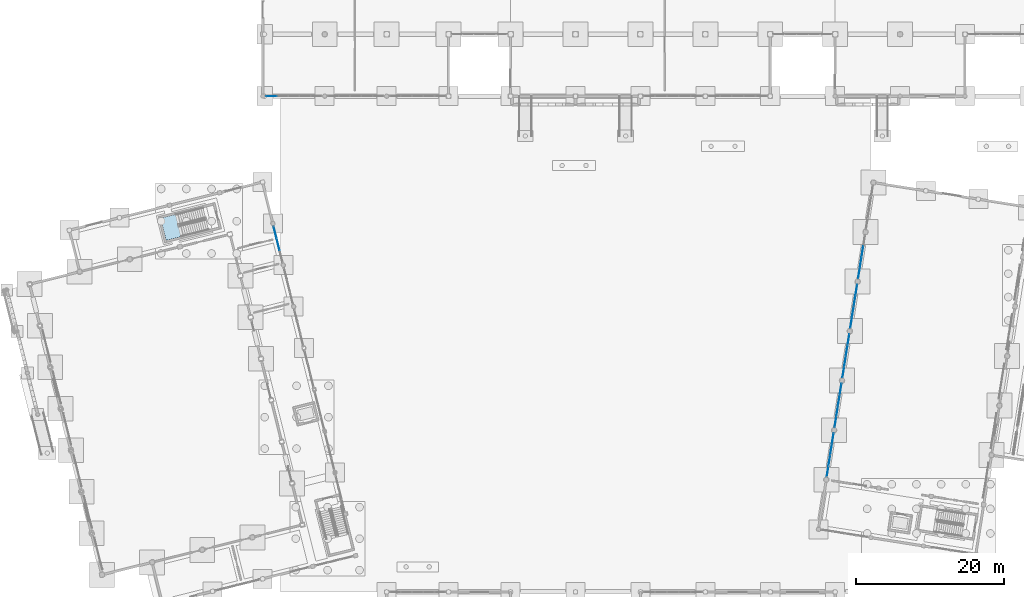
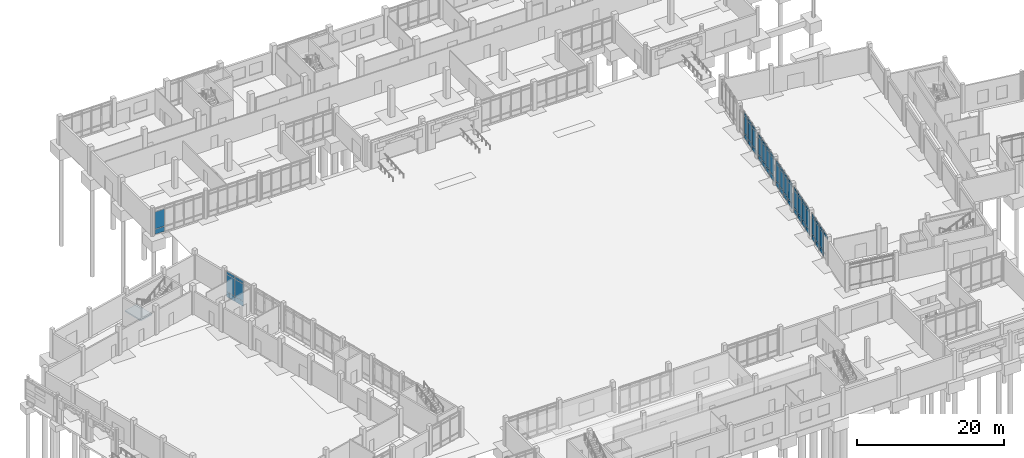
# One storey, part 35 of 72: 63 plates, 1 slab, 8 elements without a shape of their own.
"""IFC4 building model written with IfcOpenShell, lengths in metres."""

from ifc_helpers import new_model, si_unit, direction, frame, origin, origin_2d, place, context, subcontext, project, spatial, polyline, rectangle, outline, extrude, material, layer, layer_set, type_object, element, aggregate, save


model = new_model("IFC4")

# Units and contexts
model_context = context("Model", 3, precision=1e-05, world=origin(), true_north=direction((0.0, 1.0)))
body_context = subcontext(model_context, "Body", "Model", "MODEL_VIEW")
ifc_project = project(units=[si_unit("LENGTHUNIT", "METRE"), si_unit("AREAUNIT", "SQUARE_METRE"), si_unit("VOLUMEUNIT", "CUBIC_METRE"), si_unit("PLANEANGLEUNIT", "RADIAN"), si_unit("MASSUNIT", "GRAM", prefix="KILO")], contexts=[model_context])

# Site, building, storey
site_placement = place(None, origin())
site = spatial("IfcSite", under=ifc_project, at=site_placement, CompositionType="ELEMENT")
building_placement = place(site_placement, origin())
building = spatial("IfcBuilding", under=site, at=building_placement, Name="Cinderway Yard Community Centre", CompositionType="ELEMENT")
storey_placement = place(building_placement, origin())
storey = spatial("IfcBuildingStorey", under=building, at=storey_placement, Name="L00", CompositionType="ELEMENT", Elevation=0.0)

# Curtain wall, plates
ifc_material_1 = material(Name="Aluminium 6063-T6", Category="aluminium")
curtain_wall_type_1 = type_object("IfcCurtainWallType", Name="ENV-CW-TYPE-24", PredefinedType="USERDEFINED", material=ifc_material_1)
curtain_wall_1_placement = place(storey_placement, origin())
curtain_wall_1 = element("IfcCurtainWall", 1, at=curtain_wall_1_placement, inside=storey, type_object=curtain_wall_type_1, Name="V4 Courtyard Curtain Wall ENV-CW-L00-ST-0109", ObjectType="GLAZED CURTAIN WALL", PredefinedType="USERDEFINED")
ifc_material_2 = material(Name="Laminated Low-E Glass", Category="glass")
ifc_layer_1 = layer(ifc_material_2, 0.028076171875, Name="Laminated Low-E Glass")
ifc_layer_set_1 = layer_set([ifc_layer_1], Name="Laminated Low-E Glass")
plate_type_1 = type_object("IfcPlateType", Name="ENV-CW-PAN-IGU28", PredefinedType="CURTAIN_PANEL", material=ifc_layer_set_1)
plate_1_placement = place(storey_placement, frame((42.759033203125, 90.0, 0.06005859375), z_axis=(0.0, 0.0, 1.0), x_axis=(1.0, 0.0, 0.0)))
plate_1 = element("IfcPlate", 2, at=plate_1_placement, type_object=plate_type_1, Name="CW-24 panel 1.1", PredefinedType="CURTAIN_PANEL", context=body_context, shape_type="SweptSolid", body=[
    extrude(rectangle(XDim=1.43798828125, YDim=0.028076171875, at=origin_2d()), origin(), (0.0, 0.0, 1.0), 0.81005859375),
])
plate_2_placement = place(storey_placement, frame((42.759033203125, 90.0, 0.93017578125), z_axis=(0.0, 0.0, 1.0), x_axis=(1.0, 0.0, 0.0)))
plate_2 = element("IfcPlate", 3, at=plate_2_placement, type_object=plate_type_1, Name="CW-24 panel 1.2", PredefinedType="CURTAIN_PANEL", context=body_context, shape_type="SweptSolid", body=[
    extrude(rectangle(XDim=1.43798828125, YDim=0.028076171875, at=origin_2d()), origin(), (0.0, 0.0, 1.0), 2.840087890625),
])
aggregate(curtain_wall_1, [plate_1, plate_2])

curtain_wall_type_2 = type_object("IfcCurtainWallType", Name="ENV-CW-TYPE-01", PredefinedType="USERDEFINED", material=ifc_material_1)
curtain_wall_2_placement = place(storey_placement, origin())
curtain_wall_2 = element("IfcCurtainWall", 4, at=curtain_wall_2_placement, inside=storey, type_object=curtain_wall_type_2, Name="Main Hall Courtyard Curtain Wall ENV-CW-L00-HS-0007", ObjectType="GLAZED CURTAIN WALL", PredefinedType="USERDEFINED")
ifc_layer_2 = layer(ifc_material_2, 0.031982421875, Name="Laminated Low-E Glass")
ifc_layer_set_2 = layer_set([ifc_layer_2], Name="Laminated Low-E Glass")
plate_type_2 = type_object("IfcPlateType", Name="ENV-CW-PAN-IGU32", PredefinedType="CURTAIN_PANEL", material=ifc_layer_set_2)
plate_3_placement = place(storey_placement, frame((43.678955078125, 69.922119140625, 0.06005859375), z_axis=(0.0, 0.0, 1.0), x_axis=(-0.242072522276, 0.970258158409, 0.0)))
plate_3 = element("IfcPlate", 5, at=plate_3_placement, type_object=plate_type_2, Name="CW-01 panel 2.1", PredefinedType="CURTAIN_PANEL", context=body_context, shape_type="SweptSolid", body=[
    extrude(rectangle(XDim=1.6337890625, YDim=0.028076171875, at=origin_2d()), origin(), (0.0, 0.0, 1.0), 0.81005859375),
])
plate_4_placement = place(storey_placement, frame((43.678955078125, 69.922119140625, 0.93017578125), z_axis=(0.0, 0.0, 1.0), x_axis=(-0.242072522276, 0.970258158409, 0.0)))
plate_4 = element("IfcPlate", 6, at=plate_4_placement, type_object=plate_type_2, Name="CW-01 panel 2.2", PredefinedType="CURTAIN_PANEL", context=body_context, shape_type="SweptSolid", body=[
    extrude(rectangle(XDim=1.6337890625, YDim=0.028076171875, at=origin_2d()), origin(), (0.0, 0.0, 1.0), 2.840087890625),
])
plate_5_placement = place(storey_placement, frame((43.678955078125, 69.922119140625, 3.830078125), z_axis=(0.0, 0.0, 1.0), x_axis=(-0.242072522276, 0.970258158409, 0.0)))
plate_5 = element("IfcPlate", 7, at=plate_5_placement, type_object=plate_type_2, Name="CW-01 panel 2.3", PredefinedType="CURTAIN_PANEL", context=body_context, shape_type="SweptSolid", body=[
    extrude(rectangle(XDim=1.6337890625, YDim=0.028076171875, at=origin_2d()), origin(), (0.0, 0.0, 1.0), 0.4599609375),
])
plate_6_placement = place(storey_placement, frame((43.272705078125, 71.55078125, 0.06005859375), z_axis=(0.0, 0.0, 1.0), x_axis=(-0.242072522276, 0.970258158409, 0.0)))
plate_6 = element("IfcPlate", 8, at=plate_6_placement, type_object=plate_type_2, Name="CW-01 panel 3.1", PredefinedType="CURTAIN_PANEL", context=body_context, shape_type="SweptSolid", body=[
    extrude(rectangle(XDim=1.603759765625, YDim=0.028076171875, at=origin_2d()), origin(), (0.0, 0.0, 1.0), 0.81005859375),
])
plate_7_placement = place(storey_placement, frame((43.272705078125, 71.55078125, 0.93017578125), z_axis=(0.0, 0.0, 1.0), x_axis=(-0.242072522276, 0.970258158409, 0.0)))
plate_7 = element("IfcPlate", 9, at=plate_7_placement, type_object=plate_type_2, Name="CW-01 panel 3.2", PredefinedType="CURTAIN_PANEL", context=body_context, shape_type="SweptSolid", body=[
    extrude(rectangle(XDim=1.603759765625, YDim=0.028076171875, at=origin_2d()), origin(), (0.0, 0.0, 1.0), 2.840087890625),
])
plate_8_placement = place(storey_placement, frame((43.272705078125, 71.55078125, 3.830078125), z_axis=(0.0, 0.0, 1.0), x_axis=(-0.242072522276, 0.970258158409, 0.0)))
plate_8 = element("IfcPlate", 10, at=plate_8_placement, type_object=plate_type_2, Name="CW-01 panel 3.3", PredefinedType="CURTAIN_PANEL", context=body_context, shape_type="SweptSolid", body=[
    extrude(rectangle(XDim=1.603759765625, YDim=0.028076171875, at=origin_2d()), origin(), (0.0, 0.0, 1.0), 0.4599609375),
])
aggregate(curtain_wall_2, [plate_3, plate_4, plate_5, plate_6, plate_7, plate_8])

curtain_wall_type_3 = type_object("IfcCurtainWallType", Name="ENV-CW-TYPE-12", PredefinedType="USERDEFINED", material=ifc_material_1)
curtain_wall_3_placement = place(storey_placement, origin())
curtain_wall_3 = element("IfcCurtainWall", 11, at=curtain_wall_3_placement, inside=storey, type_object=curtain_wall_type_3, Name="Sports Hall Courtyard Curtain Wall ENV-CW-L00-HS-0044", ObjectType="GLAZED CURTAIN WALL", PredefinedType="USERDEFINED")
plate_9_placement = place(storey_placement, frame((118.1796875, 39.135498046875, 3.830078125), z_axis=(0.0, 0.0, 1.0), x_axis=(0.156608625643, 0.987660740525, 0.0)))
plate_9 = element("IfcPlate", 12, at=plate_9_placement, type_object=plate_type_2, Name="CW-12 panel 1.3", PredefinedType="CURTAIN_PANEL", context=body_context, shape_type="SweptSolid", body=[
    extrude(rectangle(XDim=1.420166015625, YDim=0.028076171875, at=origin_2d()), origin(), (0.0, 0.0, 1.0), 0.4599609375),
])
plate_10_placement = place(storey_placement, frame((118.413818359375, 40.6123046875, 0.06005859375), z_axis=(0.0, 0.0, 1.0), x_axis=(0.156608625643, 0.987660740525, 0.0)))
plate_10 = element("IfcPlate", 13, at=plate_10_placement, type_object=plate_type_2, Name="CW-12 panel 2.1", PredefinedType="CURTAIN_PANEL", context=body_context, shape_type="SweptSolid", body=[
    extrude(rectangle(XDim=1.4501953125, YDim=0.028076171875, at=origin_2d()), origin(), (0.0, 0.0, 1.0), 0.81005859375),
])
plate_11_placement = place(storey_placement, frame((118.413818359375, 40.6123046875, 0.93017578125), z_axis=(0.0, 0.0, 1.0), x_axis=(0.156608625643, 0.987660740525, 0.0)))
plate_11 = element("IfcPlate", 14, at=plate_11_placement, type_object=plate_type_2, Name="CW-12 panel 2.2", PredefinedType="CURTAIN_PANEL", context=body_context, shape_type="SweptSolid", body=[
    extrude(rectangle(XDim=1.4501953125, YDim=0.028076171875, at=origin_2d()), origin(), (0.0, 0.0, 1.0), 2.840087890625),
])
plate_12_placement = place(storey_placement, frame((118.413818359375, 40.6123046875, 3.830078125), z_axis=(0.0, 0.0, 1.0), x_axis=(0.156608625643, 0.987660740525, 0.0)))
plate_12 = element("IfcPlate", 15, at=plate_12_placement, type_object=plate_type_2, Name="CW-12 panel 2.3", PredefinedType="CURTAIN_PANEL", context=body_context, shape_type="SweptSolid", body=[
    extrude(rectangle(XDim=1.4501953125, YDim=0.028076171875, at=origin_2d()), origin(), (0.0, 0.0, 1.0), 0.4599609375),
])
plate_13_placement = place(storey_placement, frame((118.650146484375, 42.103759765625, 0.06005859375), z_axis=(0.0, 0.0, 1.0), x_axis=(0.156608625643, 0.987660740525, 0.0)))
plate_13 = element("IfcPlate", 16, at=plate_13_placement, type_object=plate_type_2, Name="CW-12 panel 3.1", PredefinedType="CURTAIN_PANEL", context=body_context, shape_type="SweptSolid", body=[
    extrude(rectangle(XDim=1.4501953125, YDim=0.028076171875, at=origin_2d()), origin(), (0.0, 0.0, 1.0), 0.81005859375),
])
plate_14_placement = place(storey_placement, frame((118.650146484375, 42.103759765625, 0.93017578125), z_axis=(0.0, 0.0, 1.0), x_axis=(0.156608625643, 0.987660740525, 0.0)))
plate_14 = element("IfcPlate", 17, at=plate_14_placement, type_object=plate_type_2, Name="CW-12 panel 3.2", PredefinedType="CURTAIN_PANEL", context=body_context, shape_type="SweptSolid", body=[
    extrude(rectangle(XDim=1.4501953125, YDim=0.028076171875, at=origin_2d()), origin(), (0.0, 0.0, 1.0), 2.840087890625),
])
plate_15_placement = place(storey_placement, frame((118.650146484375, 42.103759765625, 3.830078125), z_axis=(0.0, 0.0, 1.0), x_axis=(0.156608625643, 0.987660740525, 0.0)))
plate_15 = element("IfcPlate", 18, at=plate_15_placement, type_object=plate_type_2, Name="CW-12 panel 3.3", PredefinedType="CURTAIN_PANEL", context=body_context, shape_type="SweptSolid", body=[
    extrude(rectangle(XDim=1.4501953125, YDim=0.028076171875, at=origin_2d()), origin(), (0.0, 0.0, 1.0), 0.4599609375),
])
plate_16_placement = place(storey_placement, frame((118.884521484375, 43.580322265625, 0.06005859375), z_axis=(0.0, 0.0, 1.0), x_axis=(0.156608625643, 0.987660740525, 0.0)))
plate_16 = element("IfcPlate", 19, at=plate_16_placement, type_object=plate_type_2, Name="CW-12 panel 4.1", PredefinedType="CURTAIN_PANEL", context=body_context, shape_type="SweptSolid", body=[
    extrude(rectangle(XDim=1.420166015625, YDim=0.028076171875, at=origin_2d()), origin(), (0.0, 0.0, 1.0), 0.81005859375),
])
plate_17_placement = place(storey_placement, frame((118.884521484375, 43.580322265625, 0.93017578125), z_axis=(0.0, 0.0, 1.0), x_axis=(0.156608625643, 0.987660740525, 0.0)))
plate_17 = element("IfcPlate", 20, at=plate_17_placement, type_object=plate_type_2, Name="CW-12 panel 4.2", PredefinedType="CURTAIN_PANEL", context=body_context, shape_type="SweptSolid", body=[
    extrude(rectangle(XDim=1.420166015625, YDim=0.028076171875, at=origin_2d()), origin(), (0.0, 0.0, 1.0), 2.840087890625),
])
plate_18_placement = place(storey_placement, frame((118.884521484375, 43.580322265625, 3.830078125), z_axis=(0.0, 0.0, 1.0), x_axis=(0.156608625643, 0.987660740525, 0.0)))
plate_18 = element("IfcPlate", 21, at=plate_18_placement, type_object=plate_type_2, Name="CW-12 panel 4.3", PredefinedType="CURTAIN_PANEL", context=body_context, shape_type="SweptSolid", body=[
    extrude(rectangle(XDim=1.420166015625, YDim=0.028076171875, at=origin_2d()), origin(), (0.0, 0.0, 1.0), 0.4599609375),
])
aggregate(curtain_wall_3, [plate_9, plate_10, plate_11, plate_12, plate_13, plate_14, plate_15, plate_16, plate_17, plate_18])

curtain_wall_4_placement = place(storey_placement, origin())
curtain_wall_4 = element("IfcCurtainWall", 22, at=curtain_wall_4_placement, inside=storey, type_object=curtain_wall_type_3, Name="Sports Hall Courtyard Curtain Wall ENV-CW-L00-HS-0045", ObjectType="GLAZED CURTAIN WALL", PredefinedType="USERDEFINED")
plate_19_placement = place(storey_placement, frame((119.24365234375, 45.851806640625, 0.06005859375), z_axis=(0.0, 0.0, 1.0), x_axis=(0.156583023401, 0.987664799809, 0.0)))
plate_19 = element("IfcPlate", 23, at=plate_19_placement, type_object=plate_type_2, Name="CW-12 panel 1.1", PredefinedType="CURTAIN_PANEL", context=body_context, shape_type="SweptSolid", body=[
    extrude(rectangle(XDim=1.42041015625, YDim=0.028076171875, at=origin_2d()), origin(), (0.0, 0.0, 1.0), 0.81005859375),
])
plate_20_placement = place(storey_placement, frame((119.24365234375, 45.851806640625, 0.93017578125), z_axis=(0.0, 0.0, 1.0), x_axis=(0.156583023401, 0.987664799809, 0.0)))
plate_20 = element("IfcPlate", 24, at=plate_20_placement, type_object=plate_type_2, Name="CW-12 panel 1.2", PredefinedType="CURTAIN_PANEL", context=body_context, shape_type="SweptSolid", body=[
    extrude(rectangle(XDim=1.42041015625, YDim=0.028076171875, at=origin_2d()), origin(), (0.0, 0.0, 1.0), 2.840087890625),
])
plate_21_placement = place(storey_placement, frame((119.24365234375, 45.851806640625, 3.830078125), z_axis=(0.0, 0.0, 1.0), x_axis=(0.156583023401, 0.987664799809, 0.0)))
plate_21 = element("IfcPlate", 25, at=plate_21_placement, type_object=plate_type_2, Name="CW-12 panel 1.3", PredefinedType="CURTAIN_PANEL", context=body_context, shape_type="SweptSolid", body=[
    extrude(rectangle(XDim=1.42041015625, YDim=0.028076171875, at=origin_2d()), origin(), (0.0, 0.0, 1.0), 0.4599609375),
])
plate_22_placement = place(storey_placement, frame((119.477783203125, 47.32861328125, 0.06005859375), z_axis=(0.0, 0.0, 1.0), x_axis=(0.156583023401, 0.987664799809, 0.0)))
plate_22 = element("IfcPlate", 26, at=plate_22_placement, type_object=plate_type_2, Name="CW-12 panel 2.1", PredefinedType="CURTAIN_PANEL", context=body_context, shape_type="SweptSolid", body=[
    extrude(rectangle(XDim=1.450439453125, YDim=0.028076171875, at=origin_2d()), origin(), (0.0, 0.0, 1.0), 0.81005859375),
])
plate_23_placement = place(storey_placement, frame((119.477783203125, 47.32861328125, 0.93017578125), z_axis=(0.0, 0.0, 1.0), x_axis=(0.156583023401, 0.987664799809, 0.0)))
plate_23 = element("IfcPlate", 27, at=plate_23_placement, type_object=plate_type_2, Name="CW-12 panel 2.2", PredefinedType="CURTAIN_PANEL", context=body_context, shape_type="SweptSolid", body=[
    extrude(rectangle(XDim=1.450439453125, YDim=0.028076171875, at=origin_2d()), origin(), (0.0, 0.0, 1.0), 2.840087890625),
])
plate_24_placement = place(storey_placement, frame((119.477783203125, 47.32861328125, 3.830078125), z_axis=(0.0, 0.0, 1.0), x_axis=(0.156583023401, 0.987664799809, 0.0)))
plate_24 = element("IfcPlate", 28, at=plate_24_placement, type_object=plate_type_2, Name="CW-12 panel 2.3", PredefinedType="CURTAIN_PANEL", context=body_context, shape_type="SweptSolid", body=[
    extrude(rectangle(XDim=1.450439453125, YDim=0.028076171875, at=origin_2d()), origin(), (0.0, 0.0, 1.0), 0.4599609375),
])
plate_25_placement = place(storey_placement, frame((119.71435546875, 48.8203125, 0.06005859375), z_axis=(0.0, 0.0, 1.0), x_axis=(0.156583023401, 0.987664799809, 0.0)))
plate_25 = element("IfcPlate", 29, at=plate_25_placement, type_object=plate_type_2, Name="CW-12 panel 3.1", PredefinedType="CURTAIN_PANEL", context=body_context, shape_type="SweptSolid", body=[
    extrude(rectangle(XDim=1.450439453125, YDim=0.028076171875, at=origin_2d()), origin(), (0.0, 0.0, 1.0), 0.81005859375),
])
plate_26_placement = place(storey_placement, frame((119.71435546875, 48.8203125, 0.93017578125), z_axis=(0.0, 0.0, 1.0), x_axis=(0.156583023401, 0.987664799809, 0.0)))
plate_26 = element("IfcPlate", 30, at=plate_26_placement, type_object=plate_type_2, Name="CW-12 panel 3.2", PredefinedType="CURTAIN_PANEL", context=body_context, shape_type="SweptSolid", body=[
    extrude(rectangle(XDim=1.450439453125, YDim=0.028076171875, at=origin_2d()), origin(), (0.0, 0.0, 1.0), 2.840087890625),
])
plate_27_placement = place(storey_placement, frame((119.71435546875, 48.8203125, 3.830078125), z_axis=(0.0, 0.0, 1.0), x_axis=(0.156583023401, 0.987664799809, 0.0)))
plate_27 = element("IfcPlate", 31, at=plate_27_placement, type_object=plate_type_2, Name="CW-12 panel 3.3", PredefinedType="CURTAIN_PANEL", context=body_context, shape_type="SweptSolid", body=[
    extrude(rectangle(XDim=1.450439453125, YDim=0.028076171875, at=origin_2d()), origin(), (0.0, 0.0, 1.0), 0.4599609375),
])
plate_28_placement = place(storey_placement, frame((119.948486328125, 50.29736328125, 0.06005859375), z_axis=(0.0, 0.0, 1.0), x_axis=(0.156583023401, 0.987664799809, 0.0)))
plate_28 = element("IfcPlate", 32, at=plate_28_placement, type_object=plate_type_2, Name="CW-12 panel 4.1", PredefinedType="CURTAIN_PANEL", context=body_context, shape_type="SweptSolid", body=[
    extrude(rectangle(XDim=1.42041015625, YDim=0.028076171875, at=origin_2d()), origin(), (0.0, 0.0, 1.0), 0.81005859375),
])
plate_29_placement = place(storey_placement, frame((119.948486328125, 50.29736328125, 0.93017578125), z_axis=(0.0, 0.0, 1.0), x_axis=(0.156583023401, 0.987664799809, 0.0)))
plate_29 = element("IfcPlate", 33, at=plate_29_placement, type_object=plate_type_2, Name="CW-12 panel 4.2", PredefinedType="CURTAIN_PANEL", context=body_context, shape_type="SweptSolid", body=[
    extrude(rectangle(XDim=1.42041015625, YDim=0.028076171875, at=origin_2d()), origin(), (0.0, 0.0, 1.0), 2.840087890625),
])
plate_30_placement = place(storey_placement, frame((119.948486328125, 50.29736328125, 3.830078125), z_axis=(0.0, 0.0, 1.0), x_axis=(0.156583023401, 0.987664799809, 0.0)))
plate_30 = element("IfcPlate", 34, at=plate_30_placement, type_object=plate_type_2, Name="CW-12 panel 4.3", PredefinedType="CURTAIN_PANEL", context=body_context, shape_type="SweptSolid", body=[
    extrude(rectangle(XDim=1.42041015625, YDim=0.028076171875, at=origin_2d()), origin(), (0.0, 0.0, 1.0), 0.4599609375),
])
aggregate(curtain_wall_4, [plate_19, plate_20, plate_21, plate_22, plate_23, plate_24, plate_25, plate_26, plate_27, plate_28, plate_29, plate_30])

curtain_wall_5_placement = place(storey_placement, origin())
curtain_wall_5 = element("IfcCurtainWall", 35, at=curtain_wall_5_placement, inside=storey, type_object=curtain_wall_type_3, Name="Sports Hall Courtyard Curtain Wall ENV-CW-L00-HS-0046", ObjectType="GLAZED CURTAIN WALL", PredefinedType="USERDEFINED")
plate_31_placement = place(storey_placement, frame((120.307373046875, 52.568603515625, 0.06005859375), z_axis=(0.0, 0.0, 1.0), x_axis=(0.1564471314, 0.987686334358, 0.0)))
plate_31 = element("IfcPlate", 36, at=plate_31_placement, type_object=plate_type_2, Name="CW-12 panel 1.1", PredefinedType="CURTAIN_PANEL", context=body_context, shape_type="SweptSolid", body=[
    extrude(rectangle(XDim=1.420166015625, YDim=0.028076171875, at=origin_2d()), origin(), (0.0, 0.0, 1.0), 0.81005859375),
])
plate_32_placement = place(storey_placement, frame((120.307373046875, 52.568603515625, 0.93017578125), z_axis=(0.0, 0.0, 1.0), x_axis=(0.1564471314, 0.987686334358, 0.0)))
plate_32 = element("IfcPlate", 37, at=plate_32_placement, type_object=plate_type_2, Name="CW-12 panel 1.2", PredefinedType="CURTAIN_PANEL", context=body_context, shape_type="SweptSolid", body=[
    extrude(rectangle(XDim=1.420166015625, YDim=0.028076171875, at=origin_2d()), origin(), (0.0, 0.0, 1.0), 2.840087890625),
])
plate_33_placement = place(storey_placement, frame((120.307373046875, 52.568603515625, 3.830078125), z_axis=(0.0, 0.0, 1.0), x_axis=(0.1564471314, 0.987686334358, 0.0)))
plate_33 = element("IfcPlate", 38, at=plate_33_placement, type_object=plate_type_2, Name="CW-12 panel 1.3", PredefinedType="CURTAIN_PANEL", context=body_context, shape_type="SweptSolid", body=[
    extrude(rectangle(XDim=1.420166015625, YDim=0.028076171875, at=origin_2d()), origin(), (0.0, 0.0, 1.0), 0.4599609375),
])
plate_34_placement = place(storey_placement, frame((120.541259765625, 54.045166015625, 0.06005859375), z_axis=(0.0, 0.0, 1.0), x_axis=(0.1564471314, 0.987686334358, 0.0)))
plate_34 = element("IfcPlate", 39, at=plate_34_placement, type_object=plate_type_2, Name="CW-12 panel 2.1", PredefinedType="CURTAIN_PANEL", context=body_context, shape_type="SweptSolid", body=[
    extrude(rectangle(XDim=1.4501953125, YDim=0.028076171875, at=origin_2d()), origin(), (0.0, 0.0, 1.0), 0.81005859375),
])
plate_35_placement = place(storey_placement, frame((120.541259765625, 54.045166015625, 0.93017578125), z_axis=(0.0, 0.0, 1.0), x_axis=(0.1564471314, 0.987686334358, 0.0)))
plate_35 = element("IfcPlate", 40, at=plate_35_placement, type_object=plate_type_2, Name="CW-12 panel 2.2", PredefinedType="CURTAIN_PANEL", context=body_context, shape_type="SweptSolid", body=[
    extrude(rectangle(XDim=1.4501953125, YDim=0.028076171875, at=origin_2d()), origin(), (0.0, 0.0, 1.0), 2.840087890625),
])
plate_36_placement = place(storey_placement, frame((120.541259765625, 54.045166015625, 3.830078125), z_axis=(0.0, 0.0, 1.0), x_axis=(0.1564471314, 0.987686334358, 0.0)))
plate_36 = element("IfcPlate", 41, at=plate_36_placement, type_object=plate_type_2, Name="CW-12 panel 2.3", PredefinedType="CURTAIN_PANEL", context=body_context, shape_type="SweptSolid", body=[
    extrude(rectangle(XDim=1.4501953125, YDim=0.028076171875, at=origin_2d()), origin(), (0.0, 0.0, 1.0), 0.4599609375),
])
plate_37_placement = place(storey_placement, frame((120.777587890625, 55.536865234375, 0.06005859375), z_axis=(0.0, 0.0, 1.0), x_axis=(0.1564471314, 0.987686334358, 0.0)))
plate_37 = element("IfcPlate", 42, at=plate_37_placement, type_object=plate_type_2, Name="CW-12 panel 3.1", PredefinedType="CURTAIN_PANEL", context=body_context, shape_type="SweptSolid", body=[
    extrude(rectangle(XDim=1.4501953125, YDim=0.028076171875, at=origin_2d()), origin(), (0.0, 0.0, 1.0), 0.81005859375),
])
plate_38_placement = place(storey_placement, frame((120.777587890625, 55.536865234375, 0.93017578125), z_axis=(0.0, 0.0, 1.0), x_axis=(0.1564471314, 0.987686334358, 0.0)))
plate_38 = element("IfcPlate", 43, at=plate_38_placement, type_object=plate_type_2, Name="CW-12 panel 3.2", PredefinedType="CURTAIN_PANEL", context=body_context, shape_type="SweptSolid", body=[
    extrude(rectangle(XDim=1.4501953125, YDim=0.028076171875, at=origin_2d()), origin(), (0.0, 0.0, 1.0), 2.840087890625),
])
plate_39_placement = place(storey_placement, frame((120.777587890625, 55.536865234375, 3.830078125), z_axis=(0.0, 0.0, 1.0), x_axis=(0.1564471314, 0.987686334358, 0.0)))
plate_39 = element("IfcPlate", 44, at=plate_39_placement, type_object=plate_type_2, Name="CW-12 panel 3.3", PredefinedType="CURTAIN_PANEL", context=body_context, shape_type="SweptSolid", body=[
    extrude(rectangle(XDim=1.4501953125, YDim=0.028076171875, at=origin_2d()), origin(), (0.0, 0.0, 1.0), 0.4599609375),
])
plate_40_placement = place(storey_placement, frame((121.011474609375, 57.013427734375, 0.06005859375), z_axis=(0.0, 0.0, 1.0), x_axis=(0.1564471314, 0.987686334358, 0.0)))
plate_40 = element("IfcPlate", 45, at=plate_40_placement, type_object=plate_type_2, Name="CW-12 panel 4.1", PredefinedType="CURTAIN_PANEL", context=body_context, shape_type="SweptSolid", body=[
    extrude(rectangle(XDim=1.420166015625, YDim=0.028076171875, at=origin_2d()), origin(), (0.0, 0.0, 1.0), 0.81005859375),
])
plate_41_placement = place(storey_placement, frame((121.011474609375, 57.013427734375, 0.93017578125), z_axis=(0.0, 0.0, 1.0), x_axis=(0.1564471314, 0.987686334358, 0.0)))
plate_41 = element("IfcPlate", 46, at=plate_41_placement, type_object=plate_type_2, Name="CW-12 panel 4.2", PredefinedType="CURTAIN_PANEL", context=body_context, shape_type="SweptSolid", body=[
    extrude(rectangle(XDim=1.420166015625, YDim=0.028076171875, at=origin_2d()), origin(), (0.0, 0.0, 1.0), 2.840087890625),
])
plate_42_placement = place(storey_placement, frame((121.011474609375, 57.013427734375, 3.830078125), z_axis=(0.0, 0.0, 1.0), x_axis=(0.1564471314, 0.987686334358, 0.0)))
plate_42 = element("IfcPlate", 47, at=plate_42_placement, type_object=plate_type_2, Name="CW-12 panel 4.3", PredefinedType="CURTAIN_PANEL", context=body_context, shape_type="SweptSolid", body=[
    extrude(rectangle(XDim=1.420166015625, YDim=0.028076171875, at=origin_2d()), origin(), (0.0, 0.0, 1.0), 0.4599609375),
])
aggregate(curtain_wall_5, [plate_31, plate_32, plate_33, plate_34, plate_35, plate_36, plate_37, plate_38, plate_39, plate_40, plate_41, plate_42])

curtain_wall_6_placement = place(storey_placement, origin())
curtain_wall_6 = element("IfcCurtainWall", 48, at=curtain_wall_6_placement, inside=storey, type_object=curtain_wall_type_3, Name="Sports Hall Courtyard Curtain Wall ENV-CW-L00-HS-0047", ObjectType="GLAZED CURTAIN WALL", PredefinedType="USERDEFINED")
plate_43_placement = place(storey_placement, frame((121.37060546875, 59.28466796875, 0.06005859375), z_axis=(0.0, 0.0, 1.0), x_axis=(0.156608625643, 0.987660740525, 0.0)))
plate_43 = element("IfcPlate", 49, at=plate_43_placement, type_object=plate_type_2, Name="CW-12 panel 1.1", PredefinedType="CURTAIN_PANEL", context=body_context, shape_type="SweptSolid", body=[
    extrude(rectangle(XDim=1.420166015625, YDim=0.028076171875, at=origin_2d()), origin(), (0.0, 0.0, 1.0), 0.81005859375),
])
plate_44_placement = place(storey_placement, frame((121.37060546875, 59.28466796875, 0.93017578125), z_axis=(0.0, 0.0, 1.0), x_axis=(0.156608625643, 0.987660740525, 0.0)))
plate_44 = element("IfcPlate", 50, at=plate_44_placement, type_object=plate_type_2, Name="CW-12 panel 1.2", PredefinedType="CURTAIN_PANEL", context=body_context, shape_type="SweptSolid", body=[
    extrude(rectangle(XDim=1.420166015625, YDim=0.028076171875, at=origin_2d()), origin(), (0.0, 0.0, 1.0), 2.840087890625),
])
plate_45_placement = place(storey_placement, frame((121.37060546875, 59.28466796875, 3.830078125), z_axis=(0.0, 0.0, 1.0), x_axis=(0.156608625643, 0.987660740525, 0.0)))
plate_45 = element("IfcPlate", 51, at=plate_45_placement, type_object=plate_type_2, Name="CW-12 panel 1.3", PredefinedType="CURTAIN_PANEL", context=body_context, shape_type="SweptSolid", body=[
    extrude(rectangle(XDim=1.420166015625, YDim=0.028076171875, at=origin_2d()), origin(), (0.0, 0.0, 1.0), 0.4599609375),
])
plate_46_placement = place(storey_placement, frame((121.604736328125, 60.76123046875, 0.06005859375), z_axis=(0.0, 0.0, 1.0), x_axis=(0.156608625643, 0.987660740525, 0.0)))
plate_46 = element("IfcPlate", 52, at=plate_46_placement, type_object=plate_type_2, Name="CW-12 panel 2.1", PredefinedType="CURTAIN_PANEL", context=body_context, shape_type="SweptSolid", body=[
    extrude(rectangle(XDim=1.4501953125, YDim=0.028076171875, at=origin_2d()), origin(), (0.0, 0.0, 1.0), 0.81005859375),
])
plate_47_placement = place(storey_placement, frame((121.604736328125, 60.76123046875, 0.93017578125), z_axis=(0.0, 0.0, 1.0), x_axis=(0.156608625643, 0.987660740525, 0.0)))
plate_47 = element("IfcPlate", 53, at=plate_47_placement, type_object=plate_type_2, Name="CW-12 panel 2.2", PredefinedType="CURTAIN_PANEL", context=body_context, shape_type="SweptSolid", body=[
    extrude(rectangle(XDim=1.4501953125, YDim=0.028076171875, at=origin_2d()), origin(), (0.0, 0.0, 1.0), 2.840087890625),
])
plate_48_placement = place(storey_placement, frame((121.604736328125, 60.76123046875, 3.830078125), z_axis=(0.0, 0.0, 1.0), x_axis=(0.156608625643, 0.987660740525, 0.0)))
plate_48 = element("IfcPlate", 54, at=plate_48_placement, type_object=plate_type_2, Name="CW-12 panel 2.3", PredefinedType="CURTAIN_PANEL", context=body_context, shape_type="SweptSolid", body=[
    extrude(rectangle(XDim=1.4501953125, YDim=0.028076171875, at=origin_2d()), origin(), (0.0, 0.0, 1.0), 0.4599609375),
])
plate_49_placement = place(storey_placement, frame((121.84130859375, 62.252685546875, 0.06005859375), z_axis=(0.0, 0.0, 1.0), x_axis=(0.156608625643, 0.987660740525, 0.0)))
plate_49 = element("IfcPlate", 55, at=plate_49_placement, type_object=plate_type_2, Name="CW-12 panel 3.1", PredefinedType="CURTAIN_PANEL", context=body_context, shape_type="SweptSolid", body=[
    extrude(rectangle(XDim=1.4501953125, YDim=0.028076171875, at=origin_2d()), origin(), (0.0, 0.0, 1.0), 0.81005859375),
])
plate_50_placement = place(storey_placement, frame((121.84130859375, 62.252685546875, 0.93017578125), z_axis=(0.0, 0.0, 1.0), x_axis=(0.156608625643, 0.987660740525, 0.0)))
plate_50 = element("IfcPlate", 56, at=plate_50_placement, type_object=plate_type_2, Name="CW-12 panel 3.2", PredefinedType="CURTAIN_PANEL", context=body_context, shape_type="SweptSolid", body=[
    extrude(rectangle(XDim=1.4501953125, YDim=0.028076171875, at=origin_2d()), origin(), (0.0, 0.0, 1.0), 2.840087890625),
])
plate_51_placement = place(storey_placement, frame((121.84130859375, 62.252685546875, 3.830078125), z_axis=(0.0, 0.0, 1.0), x_axis=(0.156608625643, 0.987660740525, 0.0)))
plate_51 = element("IfcPlate", 57, at=plate_51_placement, type_object=plate_type_2, Name="CW-12 panel 3.3", PredefinedType="CURTAIN_PANEL", context=body_context, shape_type="SweptSolid", body=[
    extrude(rectangle(XDim=1.4501953125, YDim=0.028076171875, at=origin_2d()), origin(), (0.0, 0.0, 1.0), 0.4599609375),
])
plate_52_placement = place(storey_placement, frame((122.075439453125, 63.7294921875, 0.06005859375), z_axis=(0.0, 0.0, 1.0), x_axis=(0.156608625643, 0.987660740525, 0.0)))
plate_52 = element("IfcPlate", 58, at=plate_52_placement, type_object=plate_type_2, Name="CW-12 panel 4.1", PredefinedType="CURTAIN_PANEL", context=body_context, shape_type="SweptSolid", body=[
    extrude(rectangle(XDim=1.420166015625, YDim=0.028076171875, at=origin_2d()), origin(), (0.0, 0.0, 1.0), 0.81005859375),
])
plate_53_placement = place(storey_placement, frame((122.075439453125, 63.7294921875, 0.93017578125), z_axis=(0.0, 0.0, 1.0), x_axis=(0.156608625643, 0.987660740525, 0.0)))
plate_53 = element("IfcPlate", 59, at=plate_53_placement, type_object=plate_type_2, Name="CW-12 panel 4.2", PredefinedType="CURTAIN_PANEL", context=body_context, shape_type="SweptSolid", body=[
    extrude(rectangle(XDim=1.420166015625, YDim=0.028076171875, at=origin_2d()), origin(), (0.0, 0.0, 1.0), 2.840087890625),
])
plate_54_placement = place(storey_placement, frame((122.075439453125, 63.7294921875, 3.830078125), z_axis=(0.0, 0.0, 1.0), x_axis=(0.156608625643, 0.987660740525, 0.0)))
plate_54 = element("IfcPlate", 60, at=plate_54_placement, type_object=plate_type_2, Name="CW-12 panel 4.3", PredefinedType="CURTAIN_PANEL", context=body_context, shape_type="SweptSolid", body=[
    extrude(rectangle(XDim=1.420166015625, YDim=0.028076171875, at=origin_2d()), origin(), (0.0, 0.0, 1.0), 0.4599609375),
])
aggregate(curtain_wall_6, [plate_43, plate_44, plate_45, plate_46, plate_47, plate_48, plate_49, plate_50, plate_51, plate_52, plate_53, plate_54])

curtain_wall_7_placement = place(storey_placement, origin())
curtain_wall_7 = element("IfcCurtainWall", 61, at=curtain_wall_7_placement, inside=storey, type_object=curtain_wall_type_3, Name="Sports Hall Courtyard Curtain Wall ENV-CW-L00-HS-0048", ObjectType="GLAZED CURTAIN WALL", PredefinedType="USERDEFINED")
plate_55_placement = place(storey_placement, frame((122.4345703125, 66.00048828125, 0.06005859375), z_axis=(0.0, 0.0, 1.0), x_axis=(0.156608625643, 0.987660740525, 0.0)))
plate_55 = element("IfcPlate", 62, at=plate_55_placement, type_object=plate_type_2, Name="CW-12 panel 1.1", PredefinedType="CURTAIN_PANEL", context=body_context, shape_type="SweptSolid", body=[
    extrude(rectangle(XDim=1.420166015625, YDim=0.028076171875, at=origin_2d()), origin(), (0.0, 0.0, 1.0), 0.81005859375),
])
plate_56_placement = place(storey_placement, frame((122.4345703125, 66.00048828125, 0.93017578125), z_axis=(0.0, 0.0, 1.0), x_axis=(0.156608625643, 0.987660740525, 0.0)))
plate_56 = element("IfcPlate", 63, at=plate_56_placement, type_object=plate_type_2, Name="CW-12 panel 1.2", PredefinedType="CURTAIN_PANEL", context=body_context, shape_type="SweptSolid", body=[
    extrude(rectangle(XDim=1.420166015625, YDim=0.028076171875, at=origin_2d()), origin(), (0.0, 0.0, 1.0), 2.840087890625),
])
plate_57_placement = place(storey_placement, frame((122.4345703125, 66.00048828125, 3.830078125), z_axis=(0.0, 0.0, 1.0), x_axis=(0.156608625643, 0.987660740525, 0.0)))
plate_57 = element("IfcPlate", 64, at=plate_57_placement, type_object=plate_type_2, Name="CW-12 panel 1.3", PredefinedType="CURTAIN_PANEL", context=body_context, shape_type="SweptSolid", body=[
    extrude(rectangle(XDim=1.420166015625, YDim=0.028076171875, at=origin_2d()), origin(), (0.0, 0.0, 1.0), 0.4599609375),
])
plate_58_placement = place(storey_placement, frame((122.668701171875, 67.477294921875, 0.06005859375), z_axis=(0.0, 0.0, 1.0), x_axis=(0.156608625643, 0.987660740525, 0.0)))
plate_58 = element("IfcPlate", 65, at=plate_58_placement, type_object=plate_type_2, Name="CW-12 panel 2.1", PredefinedType="CURTAIN_PANEL", context=body_context, shape_type="SweptSolid", body=[
    extrude(rectangle(XDim=1.4501953125, YDim=0.028076171875, at=origin_2d()), origin(), (0.0, 0.0, 1.0), 0.81005859375),
])
plate_59_placement = place(storey_placement, frame((122.668701171875, 67.477294921875, 0.93017578125), z_axis=(0.0, 0.0, 1.0), x_axis=(0.156608625643, 0.987660740525, 0.0)))
plate_59 = element("IfcPlate", 66, at=plate_59_placement, type_object=plate_type_2, Name="CW-12 panel 2.2", PredefinedType="CURTAIN_PANEL", context=body_context, shape_type="SweptSolid", body=[
    extrude(rectangle(XDim=1.4501953125, YDim=0.028076171875, at=origin_2d()), origin(), (0.0, 0.0, 1.0), 2.840087890625),
])
plate_60_placement = place(storey_placement, frame((122.668701171875, 67.477294921875, 3.830078125), z_axis=(0.0, 0.0, 1.0), x_axis=(0.156608625643, 0.987660740525, 0.0)))
plate_60 = element("IfcPlate", 67, at=plate_60_placement, type_object=plate_type_2, Name="CW-12 panel 2.3", PredefinedType="CURTAIN_PANEL", context=body_context, shape_type="SweptSolid", body=[
    extrude(rectangle(XDim=1.4501953125, YDim=0.028076171875, at=origin_2d()), origin(), (0.0, 0.0, 1.0), 0.4599609375),
])
plate_61_placement = place(storey_placement, frame((122.9052734375, 68.96875, 0.06005859375), z_axis=(0.0, 0.0, 1.0), x_axis=(0.156608625643, 0.987660740525, 0.0)))
plate_61 = element("IfcPlate", 68, at=plate_61_placement, type_object=plate_type_2, Name="CW-12 panel 3.1", PredefinedType="CURTAIN_PANEL", context=body_context, shape_type="SweptSolid", body=[
    extrude(rectangle(XDim=1.4501953125, YDim=0.028076171875, at=origin_2d()), origin(), (0.0, 0.0, 1.0), 0.81005859375),
])
plate_62_placement = place(storey_placement, frame((122.9052734375, 68.96875, 0.93017578125), z_axis=(0.0, 0.0, 1.0), x_axis=(0.156608625643, 0.987660740525, 0.0)))
plate_62 = element("IfcPlate", 69, at=plate_62_placement, type_object=plate_type_2, Name="CW-12 panel 3.2", PredefinedType="CURTAIN_PANEL", context=body_context, shape_type="SweptSolid", body=[
    extrude(rectangle(XDim=1.4501953125, YDim=0.028076171875, at=origin_2d()), origin(), (0.0, 0.0, 1.0), 2.840087890625),
])
plate_63_placement = place(storey_placement, frame((122.9052734375, 68.96875, 3.830078125), z_axis=(0.0, 0.0, 1.0), x_axis=(0.156608625643, 0.987660740525, 0.0)))
plate_63 = element("IfcPlate", 70, at=plate_63_placement, type_object=plate_type_2, Name="CW-12 panel 3.3", PredefinedType="CURTAIN_PANEL", context=body_context, shape_type="SweptSolid", body=[
    extrude(rectangle(XDim=1.4501953125, YDim=0.028076171875, at=origin_2d()), origin(), (0.0, 0.0, 1.0), 0.4599609375),
])
aggregate(curtain_wall_7, [plate_55, plate_56, plate_57, plate_58, plate_59, plate_60, plate_61, plate_62, plate_63])

# Stair, slab
ifc_material_3 = material(Name="Concrete C40/50", Category="concrete")
stair_type = type_object("IfcStairType", Name="INT-STR-480B", PredefinedType="HALF_TURN_STAIR", material=ifc_material_3)
stair_placement = place(storey_placement, origin())
stair = element("IfcStair", 71, at=stair_placement, inside=storey, type_object=stair_type, Name="L00 Core C3B Exit Stair ST-06", PredefinedType="HALF_TURN_STAIR")
ifc_layer_3 = layer(ifc_material_3, 0.199951171875, Name="Concrete C40/50")
ifc_layer_set_3 = layer_set([ifc_layer_3], Name="Concrete C40/50")
slab_type = type_object("IfcSlabType", Name="INT-SLB-LND200", PredefinedType="LANDING", material=ifc_layer_set_3)
slab_placement = place(storey_placement, frame((0.0, 0.0, 2.199951171875)))
slab = element("IfcSlab", 72, at=slab_placement, type_object=slab_type, Name="ST-06 landing 1", PredefinedType="LANDING", context=body_context, shape_type="SweptSolid", body=[
    extrude(outline(polyline([(29.8330078125, 73.993896484375), (27.746826171875, 73.473876953125), (28.501708984375, 70.446533203125), (30.587646484375, 70.966552734375), (29.8330078125, 73.993896484375)])), origin(), (0.0, 0.0, 1.0), 0.199951171875),
])
aggregate(stair, [slab])

save(model, "model.ifc")
